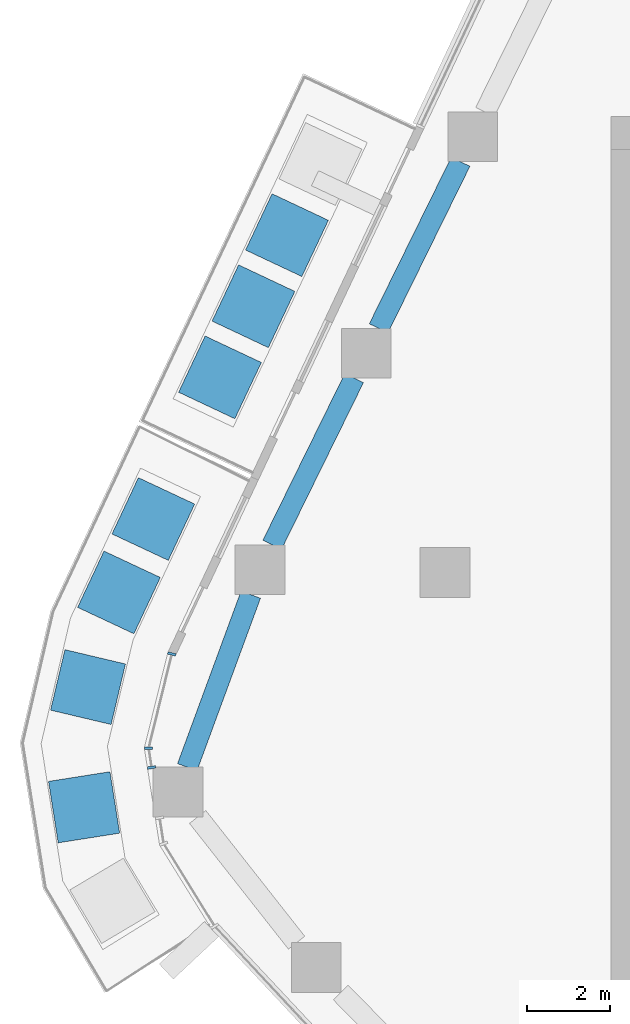
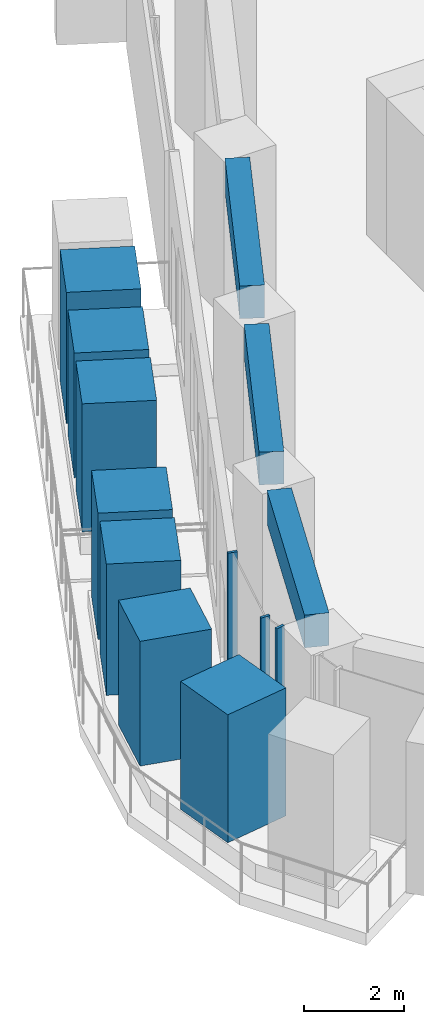
# One storey, part 4 of 18: 10 members, 3 beams, 1 element without a shape of its own.
"""IFC4 building model written with IfcOpenShell, lengths in metres."""

from ifc_helpers import new_model, si_unit, direction, frame, origin, origin_2d, place, context, subcontext, project, spatial, rectangle, extrude, material, layer, layer_set, material_profile, profile_set, type_object, element, aggregate, save


model = new_model("IFC4")

# Units and contexts
model_context = context("Model", 3, precision=1e-05, world=origin(), true_north=direction((0.0, 1.0)))
body_context = subcontext(model_context, "Body", "Model", "MODEL_VIEW")
ifc_project = project(units=[si_unit("LENGTHUNIT", "METRE"), si_unit("AREAUNIT", "SQUARE_METRE"), si_unit("VOLUMEUNIT", "CUBIC_METRE"), si_unit("PLANEANGLEUNIT", "RADIAN"), si_unit("MASSUNIT", "GRAM", prefix="KILO")], contexts=[model_context])

# Site, building, storey
site_placement = place(None, origin())
site = spatial("IfcSite", under=ifc_project, at=site_placement, CompositionType="ELEMENT")
building_placement = place(site_placement, origin())
building = spatial("IfcBuilding", under=site, at=building_placement, Name="Dongbaek Canopy Tower", CompositionType="ELEMENT")
storey_placement = place(building_placement, frame((0.0, 0.0, 162.800048828125)))
storey = spatial("IfcBuildingStorey", under=building, at=storey_placement, Name="L35", CompositionType="ELEMENT", Elevation=162.800048828125)

# Curtain wall, members
ifc_material_1 = material(Name="Aluminium 6063-T6 pale anodised", Category="aluminium")
ifc_layer = layer(ifc_material_1, 0.199951171875)
ifc_layer_set = layer_set([ifc_layer], Name="CW-1 unitised tower curtain wall")
curtain_wall_type = type_object("IfcCurtainWallType", Name="CW-1 unitised tower curtain wall", PredefinedType="NOTDEFINED", material=ifc_layer_set)
curtain_wall_placement = place(storey_placement, origin())
curtain_wall = element("IfcCurtainWall", 1, at=curtain_wall_placement, inside=storey, type_object=curtain_wall_type, Name="CW-1 curtain wall K3.1a", PredefinedType="NOTDEFINED")
ifc_material_2 = material(Name="Aluminium 6063-T6 pale anodised", Category="aluminium")
ifc_material_profile_1 = material_profile(ifc_material_2, rectangle(XDim=0.199951171875, YDim=0.06005859375, at=origin_2d()), Name="CW-1 mullion 60 x 200")
ifc_profile_set_1 = profile_set([ifc_material_profile_1], Name="Aluminium 6063-T6 pale anodised")
member_type_1 = type_object("IfcMemberType", Name="CW-1 mullion 60 x 200", PredefinedType="MULLION", material=ifc_profile_set_1)
member_1_placement = place(storey_placement, frame((-24.588134765625, -1.962646484375, 0.0), z_axis=(0.0, 0.0, 1.0), x_axis=(-0.971000654774, 0.23907682537, 0.0)))
member_1 = element("IfcMember", 2, at=member_1_placement, type_object=member_type_1, Name="CW-1 mullion K3.1a.1", PredefinedType="MULLION", context=body_context, shape_type="SweptSolid", body=[
    extrude(rectangle(XDim=0.199951171875, YDim=0.06005859375, at=origin_2d()), origin(), (0.0, 0.0, 1.0), 3.820068359375),
])
member_2_placement = place(storey_placement, frame((-25.147705078125, -4.235595703125, 0.0), z_axis=(0.0, 0.0, 1.0), x_axis=(-0.999095549109, 0.04252156807, 0.0)))
member_2 = element("IfcMember", 3, at=member_2_placement, type_object=member_type_1, Name="CW-1 mullion K3.1a.2", PredefinedType="MULLION", context=body_context, shape_type="SweptSolid", body=[
    extrude(rectangle(XDim=0.199951171875, YDim=0.06005859375, at=origin_2d()), origin(), (0.0, 0.0, 1.0), 3.820068359375),
])
member_3_placement = place(storey_placement, frame((-25.074462890625, -4.7001953125, 0.0), z_axis=(0.0, 0.0, 1.0), x_axis=(-0.987802807616, -0.155710029436, 0.0)))
member_3 = element("IfcMember", 4, at=member_3_placement, type_object=member_type_1, Name="CW-1 mullion K3.1a.3", PredefinedType="MULLION", context=body_context, shape_type="SweptSolid", body=[
    extrude(rectangle(XDim=0.199951171875, YDim=0.06005859375, at=origin_2d()), origin(), (0.0, 0.0, 1.0), 3.820068359375),
])
aggregate(curtain_wall, [member_1, member_2, member_3])

# Beams
ifc_material_3 = material(Name="Concrete C70", Category="concrete")
ifc_material_profile_2 = material_profile(ifc_material_3, rectangle(XDim=0.5, YDim=0.800048828125, at=origin_2d()), Name="RC EDGE BEAM 500x800 C70")
ifc_profile_set_2 = profile_set([ifc_material_profile_2], Name="Concrete C70")
beam_type = type_object("IfcBeamType", Name="RC EDGE BEAM 500x800 C70", PredefinedType="BEAM", material=ifc_profile_set_2)
beam_1_placement = place(storey_placement, frame((-24.214111328125, -4.694091796875, 3.419921875), z_axis=(0.34534810305, 0.938474660137, 0.0), x_axis=(-0.938474660137, 0.34534810305, 0.0)))
element("IfcBeam", 5, at=beam_1_placement, inside=storey, type_object=beam_type, Name="EDGEBEAM:L35:08", PredefinedType="BEAM", context=body_context, shape_type="SweptSolid", body=[
    extrude(rectangle(XDim=0.5, YDim=0.800048828125, at=origin_2d()), origin(), (0.0, 0.0, 1.0), 4.433837890625),
])
beam_2_placement = place(storey_placement, frame((-22.1669921875, 0.6669921875, 3.419921875), z_axis=(0.441142658474, 0.897436992147, 0.0), x_axis=(-0.897436992147, 0.441142658474, 0.0)))
element("IfcBeam", 6, at=beam_2_placement, inside=storey, type_object=beam_type, Name="EDGEBEAM:L35:09", PredefinedType="BEAM", context=body_context, shape_type="SweptSolid", body=[
    extrude(rectangle(XDim=0.5, YDim=0.800048828125, at=origin_2d()), origin(), (0.0, 0.0, 1.0), 4.4794921875),
])
beam_3_placement = place(storey_placement, frame((-19.6005859375, 5.886962890625, 3.419921875), z_axis=(0.441534821152, 0.897244114893, 0.0), x_axis=(-0.897244114893, 0.441534821152, 0.0)))
element("IfcBeam", 7, at=beam_3_placement, inside=storey, type_object=beam_type, Name="EDGEBEAM:L35:10", PredefinedType="BEAM", context=body_context, shape_type="SweptSolid", body=[
    extrude(rectangle(XDim=0.5, YDim=0.800048828125, at=origin_2d()), origin(), (0.0, 0.0, 1.0), 4.478271484375),
])

# Members
ifc_material_4 = material(Name="Concrete C40/50 planter mass with planting", Category="concrete")
ifc_material_profile_3 = material_profile(ifc_material_4, rectangle(XDim=1.5, YDim=1.5, at=origin_2d()), Name="Terrace PLANTER shrub mass 1500 x 1500")
ifc_profile_set_3 = profile_set([ifc_material_profile_3], Name="Concrete C40/50 planter mass with planting")
member_type_2 = type_object("IfcMemberType", Name="Terrace PLANTER shrub mass 1500 x 1500", PredefinedType="USERDEFINED", material=ifc_profile_set_3)
member_4_placement = place(storey_placement, frame((-21.809814453125, 8.13427734375, 0.419921875), z_axis=(0.0, 0.0, 1.0), x_axis=(-0.904625717834, 0.426206887126, 0.0)))
element("IfcMember", 8, at=member_4_placement, inside=storey, type_object=member_type_2, Name="Planter shrubs L35 1.2", ObjectType="PLANTER", PredefinedType="USERDEFINED", context=body_context, shape_type="SweptSolid", body=[
    extrude(rectangle(XDim=1.5, YDim=1.5, at=origin_2d()), origin(), (0.0, 0.0, 1.0), 3.2099609375),
])
member_5_placement = place(storey_placement, frame((-22.617431640625, 6.419921875, 0.419921875), z_axis=(0.0, 0.0, 1.0), x_axis=(-0.904625717834, 0.426206887126, 0.0)))
element("IfcMember", 9, at=member_5_placement, inside=storey, type_object=member_type_2, Name="Planter shrubs L35 1.3", ObjectType="PLANTER", PredefinedType="USERDEFINED", context=body_context, shape_type="SweptSolid", body=[
    extrude(rectangle(XDim=1.5, YDim=1.5, at=origin_2d()), origin(), (0.0, 0.0, 1.0), 3.050048828125),
])
member_6_placement = place(storey_placement, frame((-23.425048828125, 4.70556640625, 0.419921875), z_axis=(0.0, 0.0, 1.0), x_axis=(-0.904625717834, 0.426206887126, 0.0)))
element("IfcMember", 10, at=member_6_placement, inside=storey, type_object=member_type_2, Name="Planter shrubs L35 1.4", ObjectType="PLANTER", PredefinedType="USERDEFINED", context=body_context, shape_type="SweptSolid", body=[
    extrude(rectangle(XDim=1.5, YDim=1.5, at=origin_2d()), origin(), (0.0, 0.0, 1.0), 3.130126953125),
])
member_7_placement = place(storey_placement, frame((-25.031982421875, 1.2900390625, 0.419921875), z_axis=(0.0, 0.0, 1.0), x_axis=(-0.905534152634, 0.42427337698, 0.0)))
element("IfcMember", 11, at=member_7_placement, inside=storey, type_object=member_type_2, Name="Planter shrubs L35 3.1", ObjectType="PLANTER", PredefinedType="USERDEFINED", context=body_context, shape_type="SweptSolid", body=[
    extrude(rectangle(XDim=1.5, YDim=1.5, at=origin_2d()), origin(), (0.0, 0.0, 1.0), 3.090087890625),
])
member_8_placement = place(storey_placement, frame((-25.861083984375, -0.4794921875, 0.419921875), z_axis=(0.0, 0.0, 1.0), x_axis=(-0.905534152634, 0.42427337698, 0.0)))
element("IfcMember", 12, at=member_8_placement, inside=storey, type_object=member_type_2, Name="Planter shrubs L35 3.2", ObjectType="PLANTER", PredefinedType="USERDEFINED", context=body_context, shape_type="SweptSolid", body=[
    extrude(rectangle(XDim=1.5, YDim=1.5, at=origin_2d()), origin(), (0.0, 0.0, 1.0), 3.2099609375),
])
member_9_placement = place(storey_placement, frame((-26.60693359375, -2.76171875, 0.419921875), z_axis=(0.0, 0.0, 1.0), x_axis=(-0.973041614967, 0.230629606823, 0.0)))
element("IfcMember", 13, at=member_9_placement, inside=storey, type_object=member_type_2, Name="Planter shrubs L35 3.3", ObjectType="PLANTER", PredefinedType="USERDEFINED", context=body_context, shape_type="SweptSolid", body=[
    extrude(rectangle(XDim=1.5, YDim=1.5, at=origin_2d()), origin(), (0.0, 0.0, 1.0), 3.050048828125),
])
member_10_placement = place(storey_placement, frame((-26.70166015625, -5.66015625, 0.419921875), z_axis=(0.0, 0.0, 1.0), x_axis=(-0.987802807616, -0.155710029436, 0.0)))
element("IfcMember", 14, at=member_10_placement, inside=storey, type_object=member_type_2, Name="Planter shrubs L35 3.4", ObjectType="PLANTER", PredefinedType="USERDEFINED", context=body_context, shape_type="SweptSolid", body=[
    extrude(rectangle(XDim=1.5, YDim=1.5, at=origin_2d()), origin(), (0.0, 0.0, 1.0), 3.130126953125),
])

save(model, "model.ifc")
